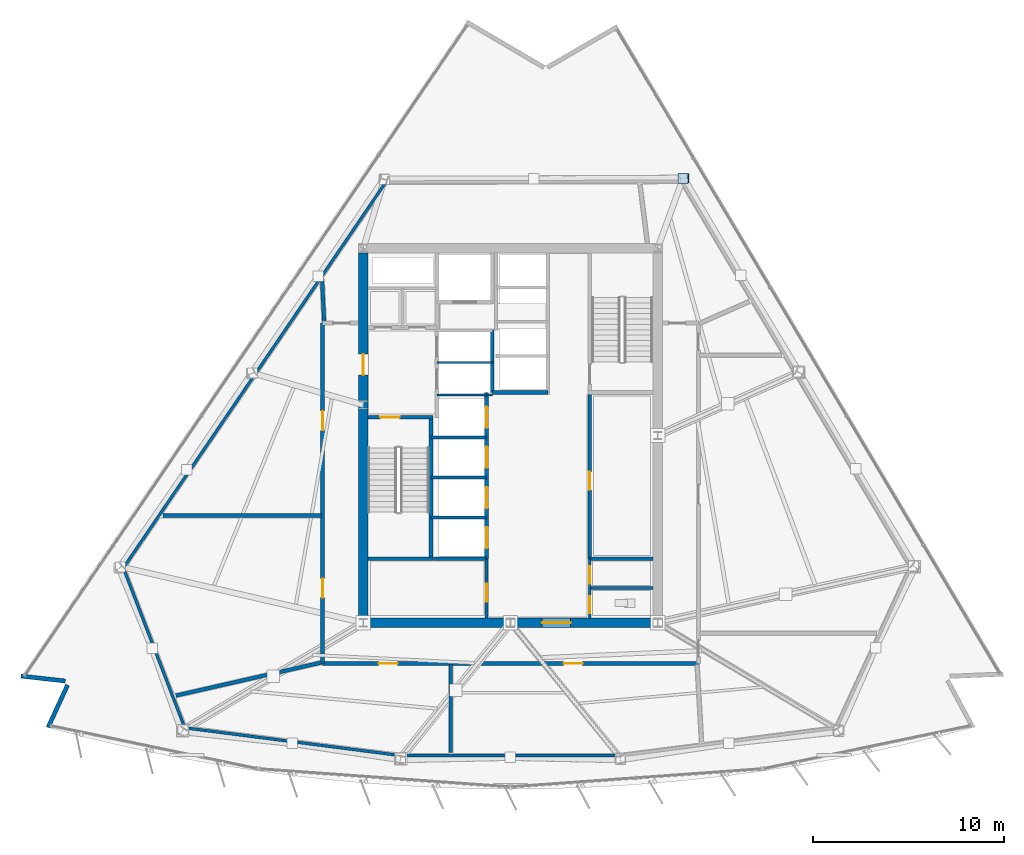
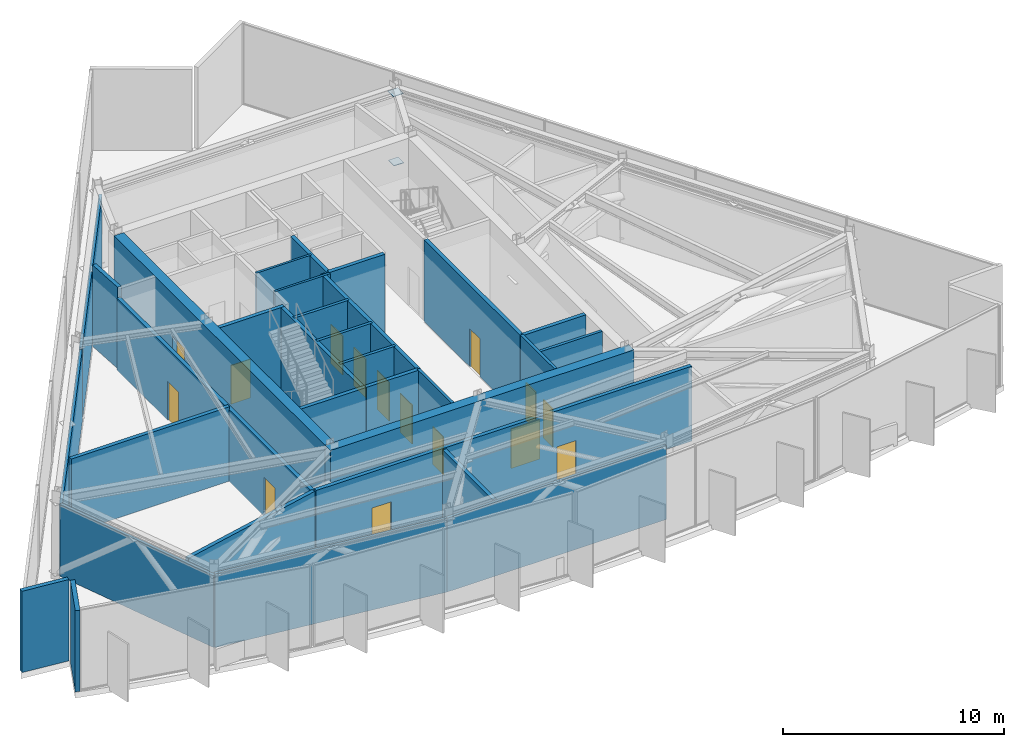
# One storey, part 8 of 14: 32 walls, 15 doors, 2 plates, 15 openings.
"""IFC4 building model written with IfcOpenShell, lengths in metres."""

from ifc_helpers import new_model, si_unit, direction, frame, frame_2d, origin, origin_2d, place, context, subcontext, project, spatial, rectangle, extrude, material, layer, layer_set, type_object, element, fill, save


model = new_model("IFC4")

# Units and contexts
model_context = context("Model", 3, precision=1e-05, world=origin(), true_north=direction((0.0, 1.0)))
body_context = subcontext(model_context, "Body", "Model", "MODEL_VIEW")
ifc_project = project(units=[si_unit("LENGTHUNIT", "METRE"), si_unit("AREAUNIT", "SQUARE_METRE"), si_unit("VOLUMEUNIT", "CUBIC_METRE"), si_unit("PLANEANGLEUNIT", "RADIAN"), si_unit("MASSUNIT", "GRAM", prefix="KILO")], contexts=[model_context])

# Site, building, storey
site_placement = place(None, origin())
site = spatial("IfcSite", under=ifc_project, at=site_placement, CompositionType="ELEMENT")
building_placement = place(site_placement, origin())
building = spatial("IfcBuilding", under=site, at=building_placement, Name="Savorim Split Tower", CompositionType="ELEMENT")
storey_placement = place(building_placement, frame((0.0, 0.0, 185.39990234375)))
storey = spatial("IfcBuildingStorey", under=building, at=storey_placement, Name="L49", CompositionType="ELEMENT", Elevation=185.39990234375)

# Plates
ifc_material_1 = material(Name="Steel S460", Category="steel")
ifc_layer_1 = layer(ifc_material_1, 0.028076171875)
ifc_layer_set_1 = layer_set([ifc_layer_1], Name="PLT-NODE-BN1")
plate_type = type_object("IfcPlateType", Name="PLT-NODE-BN1", PredefinedType="SHEET", material=ifc_layer_set_1)
for number, where, z_axis, x_axis, name in (
    (1, (9.065673828125, 13.856201171875, 0.26611328125), (0.0, 0.0, 1.0), (1.0, 0.0, 0.0), "L49 Belt Truss Base Gusset Plate BNB-07"),
    (2, (9.031982421875, 13.848876953125, 4.1162109375), (0.0, 0.0, 1.0), (1.0, 0.0, 0.0), "L49 Belt Truss Chord Gusset Plate BCH-07"),
):
    element("IfcPlate", number, at=place(storey_placement, frame(where, z_axis=z_axis, x_axis=x_axis)), inside=storey, type_object=plate_type, Name=name, PredefinedType="SHEET", context=body_context, shape_type="SweptSolid", body=[
        extrude(rectangle(XDim=0.52001953125, YDim=0.52001953125, at=origin_2d()), origin(), (0.0, 0.0, 1.0), 0.028076171875),
    ])

# Wall, opening, door
ifc_material_2 = material(Name="Concrete C60/75", Category="concrete")
ifc_layer_2 = layer(ifc_material_2, 0.5)
ifc_layer_set_2 = layer_set([ifc_layer_2], Name="WAL-COR-SH500")
wall_type_1 = type_object("IfcWallType", Name="WAL-COR-SH500", PredefinedType="SHEAR", material=ifc_layer_set_2)
wall_1_placement = place(storey_placement, frame((-7.949951171875, -9.39990234375, 0.0), z_axis=(0.0, 0.0, 1.0), x_axis=(1.0, 0.0, 0.0)))
wall_1 = element("IfcWall", 3, at=wall_1_placement, inside=storey, type_object=wall_type_1, Name="L49 Offset Core South Shear Wall", PredefinedType="SHEAR", context=body_context, shape_type="SweptSolid", body=[
    extrude(rectangle(XDim=15.89990234375, YDim=0.5, at=frame_2d((7.949951171875, 0.0))), origin(), (0.0, 0.0, 1.0), 4.5),
])
opening_1_placement = place(wall_1_placement, frame((9.60009765625, 0.0, 0.0)))
opening_1 = element("IfcOpeningElement", 4, at=opening_1_placement, cuts=wall_1, Name="Opening DI-02", PredefinedType="OPENING", context=body_context, shape_type="SweptSolid", body=[
    extrude(rectangle(XDim=1.5, YDim=2.199951171875, at=frame_2d((0.75, 1.10009765625))), frame((0.0, 0.260009765625, 0.0), z_axis=(0.0, -1.0, 0.0), x_axis=(1.0, 0.0, 0.0)), (0.0, 0.0, 1.0), 0.52001953125),
])
ifc_material_3 = material(Name="Timber Fire Door Leaf", Category="wood")
door_type_1 = type_object("IfcDoorType", Name="DOR-DBL-1500", OperationType="NOTDEFINED", PredefinedType="DOOR", material=ifc_material_3)
door_1_placement = place(opening_1_placement, origin())
door_1 = element("IfcDoor", 5, at=door_1_placement, inside=storey, type_object=door_type_1, Name="DOR-L49-COR-LLOB - L49 Lift Lobby Main Rated Door", OperationType="DOUBLE_DOOR_SINGLE_SWING", OverallHeight=2.199951171875, OverallWidth=1.5, PredefinedType="DOOR", context=body_context, shape_type="SweptSolid", body=[
    extrude(rectangle(XDim=1.5, YDim=2.199951171875, at=frame_2d((0.75, 1.10009765625))), frame((0.0, 0.02490234375, 0.0), z_axis=(0.0, -1.0, 0.0), x_axis=(1.0, 0.0, 0.0)), (0.0, 0.0, 1.0), 0.050048828125),
])
fill(opening_1, door_1)

wall_2_placement = place(storey_placement, frame((-7.699951171875, -9.14990234375, 0.0), z_axis=(0.0, 0.0, 1.0), x_axis=(0.0, 1.0, 0.0)))
wall_2 = element("IfcWall", 6, at=wall_2_placement, inside=storey, type_object=wall_type_1, Name="L49 Offset Core West Shear Wall", PredefinedType="SHEAR", context=body_context, shape_type="SweptSolid", body=[
    extrude(rectangle(XDim=19.099853515625, YDim=0.5, at=frame_2d((9.5498046875, 0.0))), origin(), (0.0, 0.0, 1.0), 4.5),
])
opening_2_placement = place(wall_2_placement, frame((12.699951171875, 0.0, 0.0)))
opening_2 = element("IfcOpeningElement", 7, at=opening_2_placement, cuts=wall_2, Name="Opening DI-03", PredefinedType="OPENING", context=body_context, shape_type="SweptSolid", body=[
    extrude(rectangle(XDim=1.10009765625, YDim=2.14990234375, at=frame_2d((0.550048828125, 1.074951171875))), frame((0.0, 0.260009765625, 0.0), z_axis=(0.0, -1.0, 0.0), x_axis=(1.0, 0.0, 0.0)), (0.0, 0.0, 1.0), 0.52001953125),
])
door_type_2 = type_object("IfcDoorType", Name="DOR-FIR-1100", OperationType="NOTDEFINED", PredefinedType="DOOR", material=ifc_material_3)
door_2_placement = place(opening_2_placement, origin())
door_2 = element("IfcDoor", 8, at=door_2_placement, inside=storey, type_object=door_type_2, Name="DOR-L49-COR-FFLOB - L49 Firefighting Lobby Corridor Door", OperationType="SINGLE_SWING_LEFT", OverallHeight=2.14990234375, OverallWidth=1.10009765625, PredefinedType="DOOR", context=body_context, shape_type="SweptSolid", body=[
    extrude(rectangle(XDim=1.10009765625, YDim=2.14990234375, at=frame_2d((0.550048828125, 1.074951171875))), frame((0.0, 0.02490234375, 0.0), z_axis=(0.0, -1.0, 0.0), x_axis=(1.0, 0.0, 0.0)), (0.0, 0.0, 1.0), 0.050048828125),
])
fill(opening_2, door_2)

# Walls
ifc_material_4 = material(Name="Precast concrete C40/50", Category="concrete")
ifc_layer_3 = layer(ifc_material_4, 0.219970703125)
ifc_layer_set_3 = layer_set([ifc_layer_3], Name="WAL-EXT-CRN220")
wall_type_2 = type_object("IfcWallType", Name="WAL-EXT-CRN220", PredefinedType="SOLIDWALL", material=ifc_layer_set_3)
wall_3_placement = place(storey_placement, frame((-23.2890625, -12.445556640625, 0.0), z_axis=(0.0, 0.0, 1.0), x_axis=(-0.993829972675, 0.110914315635, 0.0)))
element("IfcWall", 9, at=wall_3_placement, inside=storey, type_object=wall_type_2, Name="L49 Notched Corner Facade Wall SW1", PredefinedType="SOLIDWALL", context=body_context, shape_type="SweptSolid", body=[
    extrude(rectangle(XDim=2.3310546875, YDim=0.219970703125, at=frame_2d((1.16552734375, 0.0))), origin(), (0.0, 0.0, 1.0), 4.5),
])
wall_4_placement = place(storey_placement, frame((-24.184814453125, -14.86328125, 0.0), z_axis=(0.0, 0.0, 1.0), x_axis=(0.417509141111, 0.90867272276, 0.0)))
element("IfcWall", 10, at=wall_4_placement, inside=storey, type_object=wall_type_2, Name="L49 Notched Corner Facade Wall SW", PredefinedType="SOLIDWALL", context=body_context, shape_type="SweptSolid", body=[
    extrude(rectangle(XDim=2.4296875, YDim=0.219970703125, at=frame_2d((1.21484375, 0.0))), origin(), (0.0, 0.0, 1.0), 4.5),
])

# Wall, opening, door
ifc_material_5 = material(Name="Concrete C50/60", Category="concrete")
ifc_layer_4 = layer(ifc_material_5, 0.199951171875)
ifc_layer_set_4 = layer_set([ifc_layer_4], Name="WAL-INT-RC200")
wall_type_3 = type_object("IfcWallType", Name="WAL-INT-RC200", PredefinedType="SOLIDWALL", material=ifc_layer_set_4)
wall_5_placement = place(storey_placement, frame((-7.449951171875, 1.35009765625, 0.0), z_axis=(0.0, 0.0, 1.0), x_axis=(1.0, 0.0, 0.0)))
wall_5 = element("IfcWall", 11, at=wall_5_placement, inside=storey, type_object=wall_type_3, Name="L49 Structural Shaft Wall W-L49-CR01", PredefinedType="SOLIDWALL", context=body_context, shape_type="SweptSolid", body=[
    extrude(rectangle(XDim=3.39990234375, YDim=0.199951171875, at=frame_2d((1.699951171875, 0.0))), origin(), (0.0, 0.0, 1.0), 4.5),
])
opening_3_placement = place(wall_5_placement, frame((0.64990234375, 0.0, 0.0)))
opening_3 = element("IfcOpeningElement", 12, at=opening_3_placement, cuts=wall_5, Name="Opening DI-04", PredefinedType="OPENING", context=body_context, shape_type="SweptSolid", body=[
    extrude(rectangle(XDim=1.0, YDim=2.14990234375, at=frame_2d((0.5, 1.074951171875))), frame((0.0, 0.10986328125, 0.0), z_axis=(0.0, -1.0, 0.0), x_axis=(1.0, 0.0, 0.0)), (0.0, 0.0, 1.0), 0.219970703125),
])
door_type_3 = type_object("IfcDoorType", Name="DOR-FIR-1000", OperationType="NOTDEFINED", PredefinedType="DOOR", material=ifc_material_3)
door_3_placement = place(opening_3_placement, origin())
door_3 = element("IfcDoor", 13, at=door_3_placement, inside=storey, type_object=door_type_3, Name="DR-L49-ST1 - L49 Stair ST-1 Enclosure Door", OperationType="SINGLE_SWING_LEFT", OverallHeight=2.14990234375, OverallWidth=1.0, PredefinedType="DOOR", context=body_context, shape_type="SweptSolid", body=[
    extrude(rectangle(XDim=1.0, YDim=2.14990234375, at=frame_2d((0.5, 1.074951171875))), frame((0.0, 0.02490234375, 0.0), z_axis=(0.0, -1.0, 0.0), x_axis=(1.0, 0.0, 0.0)), (0.0, 0.0, 1.0), 0.050048828125),
])
fill(opening_3, door_3)

# Walls
wall_6_placement = place(storey_placement, frame((-4.14990234375, -5.949951171875, 0.0), z_axis=(0.0, 0.0, 1.0), x_axis=(0.0, 1.0, 0.0)))
element("IfcWall", 14, at=wall_6_placement, inside=storey, type_object=wall_type_3, Name="L49 Structural Shaft Wall W-L49-CR02", PredefinedType="SOLIDWALL", context=body_context, shape_type="SweptSolid", body=[
    extrude(rectangle(XDim=7.199951171875, YDim=0.199951171875, at=frame_2d((3.60009765625, 0.0))), origin(), (0.0, 0.0, 1.0), 4.5),
])
wall_7_placement = place(storey_placement, frame((-0.949951171875, 2.64990234375, 0.0), z_axis=(0.0, 0.0, 1.0), x_axis=(0.0, 1.0, 0.0)))
element("IfcWall", 15, at=wall_7_placement, inside=storey, type_object=wall_type_3, Name="L49 Partition W-L49-FFLW", PredefinedType="SOLIDWALL", context=body_context, shape_type="SweptSolid", body=[
    extrude(rectangle(XDim=3.27001953125, YDim=0.199951171875, at=frame_2d((1.635009765625, 0.0))), origin(), (0.0, 0.0, 1.0), 4.5),
])

# Wall, opening, door
wall_8_placement = place(storey_placement, frame((4.14990234375, -6.050048828125, 0.0), z_axis=(0.0, 0.0, 1.0), x_axis=(0.0, 1.0, 0.0)))
wall_8 = element("IfcWall", 16, at=wall_8_placement, inside=storey, type_object=wall_type_3, Name="L49 Partition W-L49-B1FRONT", PredefinedType="SOLIDWALL", context=body_context, shape_type="SweptSolid", body=[
    extrude(rectangle(XDim=8.699951171875, YDim=0.199951171875, at=frame_2d((4.35009765625, 0.0))), origin(), (0.0, 0.0, 1.0), 4.5),
])
opening_4_placement = place(wall_8_placement, frame((3.60009765625, 0.0, 0.0)))
opening_4 = element("IfcOpeningElement", 17, at=opening_4_placement, cuts=wall_8, Name="Opening DI-05", PredefinedType="OPENING", context=body_context, shape_type="SweptSolid", body=[
    extrude(rectangle(XDim=0.949951171875, YDim=2.10009765625, at=frame_2d((0.47509765625, 1.050048828125))), frame((0.0, 0.10986328125, 0.0), z_axis=(0.0, -1.0, 0.0), x_axis=(1.0, 0.0, 0.0)), (0.0, 0.0, 1.0), 0.219970703125),
])
door_type_4 = type_object("IfcDoorType", Name="DOR-FIR-950", OperationType="NOTDEFINED", PredefinedType="DOOR", material=ifc_material_3)
door_4_placement = place(opening_4_placement, origin())
door_4 = element("IfcDoor", 18, at=door_4_placement, inside=storey, type_object=door_type_4, Name="DR-L49-LV7B1 - L49 Booster Transfer Plant Room Door", OperationType="SINGLE_SWING_RIGHT", OverallHeight=2.10009765625, OverallWidth=0.949951171875, PredefinedType="DOOR", context=body_context, shape_type="SweptSolid", body=[
    extrude(rectangle(XDim=0.949951171875, YDim=2.10009765625, at=frame_2d((0.47509765625, 1.050048828125))), frame((0.0, 0.02490234375, 0.0), z_axis=(0.0, -1.0, 0.0), x_axis=(1.0, 0.0, 0.0)), (0.0, 0.0, 1.0), 0.050048828125),
])
fill(opening_4, door_4)

# Wall, openings, doors
wall_9_placement = place(storey_placement, frame((-1.25, -6.050048828125, 0.0), z_axis=(0.0, 0.0, 1.0), x_axis=(0.0, 1.0, 0.0)))
wall_9 = element("IfcWall", 19, at=wall_9_placement, inside=storey, type_object=wall_type_3, Name="L49 Partition W-L49-B2FRONT", PredefinedType="SOLIDWALL", context=body_context, shape_type="SweptSolid", body=[
    extrude(rectangle(XDim=8.699951171875, YDim=0.199951171875, at=frame_2d((4.35009765625, 0.0))), origin(), (0.0, 0.0, 1.0), 4.5),
])
opening_5_placement = place(wall_9_placement, frame((0.550048828125, 0.0, 0.0)))
opening_5 = element("IfcOpeningElement", 20, at=opening_5_placement, cuts=wall_9, Name="Opening LD-02", PredefinedType="OPENING", context=body_context, shape_type="SweptSolid", body=[
    extrude(rectangle(XDim=1.10009765625, YDim=2.14990234375, at=frame_2d((0.550048828125, 1.074951171875))), frame((0.0, 0.10986328125, 0.0), z_axis=(0.0, -1.0, 0.0), x_axis=(1.0, 0.0, 0.0)), (0.0, 0.0, 1.0), 0.219970703125),
])
opening_6_placement = place(wall_9_placement, frame((2.64990234375, 0.0, 0.0)))
opening_6 = element("IfcOpeningElement", 21, at=opening_6_placement, cuts=wall_9, Name="Opening LD-02", PredefinedType="OPENING", context=body_context, shape_type="SweptSolid", body=[
    extrude(rectangle(XDim=1.10009765625, YDim=2.14990234375, at=frame_2d((0.550048828125, 1.074951171875))), frame((0.0, 0.10986328125, 0.0), z_axis=(0.0, -1.0, 0.0), x_axis=(1.0, 0.0, 0.0)), (0.0, 0.0, 1.0), 0.219970703125),
])
opening_7_placement = place(wall_9_placement, frame((4.75, 0.0, 0.0)))
opening_7 = element("IfcOpeningElement", 22, at=opening_7_placement, cuts=wall_9, Name="Opening LD-02", PredefinedType="OPENING", context=body_context, shape_type="SweptSolid", body=[
    extrude(rectangle(XDim=1.10009765625, YDim=2.14990234375, at=frame_2d((0.550048828125, 1.074951171875))), frame((0.0, 0.10986328125, 0.0), z_axis=(0.0, -1.0, 0.0), x_axis=(1.0, 0.0, 0.0)), (0.0, 0.0, 1.0), 0.219970703125),
])
opening_8_placement = place(wall_9_placement, frame((6.85009765625, 0.0, 0.0)))
opening_8 = element("IfcOpeningElement", 23, at=opening_8_placement, cuts=wall_9, Name="Opening LD-02", PredefinedType="OPENING", context=body_context, shape_type="SweptSolid", body=[
    extrude(rectangle(XDim=1.10009765625, YDim=2.14990234375, at=frame_2d((0.550048828125, 1.074951171875))), frame((0.0, 0.10986328125, 0.0), z_axis=(0.0, -1.0, 0.0), x_axis=(1.0, 0.0, 0.0)), (0.0, 0.0, 1.0), 0.219970703125),
])
ifc_material_6 = material(Name="Charcoal Anodised Aluminium", Category="aluminium")
door_type_5 = type_object("IfcDoorType", Name="DOR-SLD-LDM1100", OperationType="NOTDEFINED", PredefinedType="DOOR", material=ifc_material_6)
door_5_placement = place(opening_5_placement, origin())
door_5 = element("IfcDoor", 24, at=door_5_placement, inside=storey, type_object=door_type_5, Name="DR-L49-LD-PLM1 - L49 Lift PL-M1 Sliding Landing Door", OperationType="DOUBLE_DOOR_SLIDING", OverallHeight=2.14990234375, OverallWidth=1.10009765625, PredefinedType="DOOR", context=body_context, shape_type="SweptSolid", body=[
    extrude(rectangle(XDim=1.10009765625, YDim=2.14990234375, at=frame_2d((0.550048828125, 1.074951171875))), frame((0.0, 0.02490234375, 0.0), z_axis=(0.0, -1.0, 0.0), x_axis=(1.0, 0.0, 0.0)), (0.0, 0.0, 1.0), 0.050048828125),
])
fill(opening_5, door_5)
door_6_placement = place(opening_6_placement, origin())
door_6 = element("IfcDoor", 25, at=door_6_placement, inside=storey, type_object=door_type_5, Name="DR-L49-LD-PLM2 - L49 Lift PL-M2 Sliding Landing Door", OperationType="DOUBLE_DOOR_SLIDING", OverallHeight=2.14990234375, OverallWidth=1.10009765625, PredefinedType="DOOR", context=body_context, shape_type="SweptSolid", body=[
    extrude(rectangle(XDim=1.10009765625, YDim=2.14990234375, at=frame_2d((0.550048828125, 1.074951171875))), frame((0.0, 0.02490234375, 0.0), z_axis=(0.0, -1.0, 0.0), x_axis=(1.0, 0.0, 0.0)), (0.0, 0.0, 1.0), 0.050048828125),
])
fill(opening_6, door_6)
door_7_placement = place(opening_7_placement, origin())
door_7 = element("IfcDoor", 26, at=door_7_placement, inside=storey, type_object=door_type_5, Name="DR-L49-LD-PLM3 - L49 Lift PL-M3 Sliding Landing Door", OperationType="DOUBLE_DOOR_SLIDING", OverallHeight=2.14990234375, OverallWidth=1.10009765625, PredefinedType="DOOR", context=body_context, shape_type="SweptSolid", body=[
    extrude(rectangle(XDim=1.10009765625, YDim=2.14990234375, at=frame_2d((0.550048828125, 1.074951171875))), frame((0.0, 0.02490234375, 0.0), z_axis=(0.0, -1.0, 0.0), x_axis=(1.0, 0.0, 0.0)), (0.0, 0.0, 1.0), 0.050048828125),
])
fill(opening_7, door_7)
door_8_placement = place(opening_8_placement, origin())
door_8 = element("IfcDoor", 27, at=door_8_placement, inside=storey, type_object=door_type_5, Name="DR-L49-LD-PLM4 - L49 Lift PL-M4 Sliding Landing Door", OperationType="DOUBLE_DOOR_SLIDING", OverallHeight=2.14990234375, OverallWidth=1.10009765625, PredefinedType="DOOR", context=body_context, shape_type="SweptSolid", body=[
    extrude(rectangle(XDim=1.10009765625, YDim=2.14990234375, at=frame_2d((0.550048828125, 1.074951171875))), frame((0.0, 0.02490234375, 0.0), z_axis=(0.0, -1.0, 0.0), x_axis=(1.0, 0.0, 0.0)), (0.0, 0.0, 1.0), 0.050048828125),
])
fill(opening_8, door_8)

# Walls
wall_10_placement = place(storey_placement, frame((-0.949951171875, 2.64990234375, 0.0), z_axis=(0.0, 0.0, 1.0), x_axis=(1.0, 0.0, 0.0)))
element("IfcWall", 28, at=wall_10_placement, inside=storey, type_object=wall_type_3, Name="L49 Partition W-L49-B3SOUTH", PredefinedType="SOLIDWALL", context=body_context, shape_type="SweptSolid", body=[
    extrude(rectangle(XDim=2.89990234375, YDim=0.199951171875, at=frame_2d((1.449951171875, 0.0))), origin(), (0.0, 0.0, 1.0), 4.5),
])
wall_11_placement = place(storey_placement, frame((-7.449951171875, -6.050048828125, 0.0), z_axis=(0.0, 0.0, 1.0), x_axis=(1.0, 0.0, 0.0)))
element("IfcWall", 29, at=wall_11_placement, inside=storey, type_object=wall_type_3, Name="L49 Structural Shaft Wall W-L49-KSEP-W", PredefinedType="SOLIDWALL", context=body_context, shape_type="SweptSolid", body=[
    extrude(rectangle(XDim=3.39990234375, YDim=0.199951171875, at=frame_2d((1.699951171875, 0.0))), origin(), (0.0, 0.0, 1.0), 4.5),
])
wall_12_placement = place(storey_placement, frame((-4.0400390625, -6.050048828125, 0.0), z_axis=(0.0, 0.0, 1.0), x_axis=(1.0, 0.0, 0.0)))
element("IfcWall", 30, at=wall_12_placement, inside=storey, type_object=wall_type_3, Name="L49 Partition W-L49-KSEP-W2", PredefinedType="SOLIDWALL", context=body_context, shape_type="SweptSolid", body=[
    extrude(rectangle(XDim=2.7900390625, YDim=0.199951171875, at=frame_2d((1.39501953125, 0.0))), origin(), (0.0, 0.0, 1.0), 4.5),
])
wall_13_placement = place(storey_placement, frame((4.14990234375, -6.050048828125, 0.0), z_axis=(0.0, 0.0, 1.0), x_axis=(1.0, 0.0, 0.0)))
element("IfcWall", 31, at=wall_13_placement, inside=storey, type_object=wall_type_3, Name="L49 Partition W-L49-KSEP-E", PredefinedType="SOLIDWALL", context=body_context, shape_type="SweptSolid", body=[
    extrude(rectangle(XDim=3.295166015625, YDim=0.199951171875, at=frame_2d((1.6474609375, 0.0))), origin(), (0.0, 0.0, 1.0), 4.5),
])

# Wall, openings, doors
wall_14_placement = place(storey_placement, frame((-9.830078125, -11.530029296875, 0.0), z_axis=(0.0, 0.0, 1.0), x_axis=(0.0, 1.0, 0.0)))
wall_14 = element("IfcWall", 32, at=wall_14_placement, inside=storey, type_object=wall_type_3, Name="L49 Partition W-L49-COR-W1", PredefinedType="SOLIDWALL", context=body_context, shape_type="SweptSolid", body=[
    extrude(rectangle(XDim=17.81005859375, YDim=0.199951171875, at=frame_2d((8.905029296875, 0.0))), origin(), (0.0, 0.0, 1.0), 3.97509765625),
])
opening_9_placement = place(wall_14_placement, frame((12.19677734375, 0.0, 0.0)))
opening_9 = element("IfcOpeningElement", 33, at=opening_9_placement, cuts=wall_14, Name="Opening DI-04", PredefinedType="OPENING", context=body_context, shape_type="SweptSolid", body=[
    extrude(rectangle(XDim=1.0, YDim=2.14990234375, at=frame_2d((0.5, 1.074951171875))), frame((0.0, 0.10986328125, 0.0), z_axis=(0.0, -1.0, 0.0), x_axis=(1.0, 0.0, 0.0)), (0.0, 0.0, 1.0), 0.219970703125),
])
opening_10_placement = place(wall_14_placement, frame((3.445068359375, 0.0, 0.0)))
opening_10 = element("IfcOpeningElement", 34, at=opening_10_placement, cuts=wall_14, Name="Opening DI-04", PredefinedType="OPENING", context=body_context, shape_type="SweptSolid", body=[
    extrude(rectangle(XDim=1.0, YDim=2.14990234375, at=frame_2d((0.5, 1.074951171875))), frame((0.0, 0.10986328125, 0.0), z_axis=(0.0, -1.0, 0.0), x_axis=(1.0, 0.0, 0.0)), (0.0, 0.0, 1.0), 0.219970703125),
])
door_9_placement = place(opening_9_placement, origin())
door_9 = element("IfcDoor", 35, at=door_9_placement, inside=storey, type_object=door_type_3, Name="DR-L49-RM01 - L49 AHU Mechanical Plant Room 1 Entry Door", OperationType="SINGLE_SWING_RIGHT", OverallHeight=2.14990234375, OverallWidth=1.0, PredefinedType="DOOR", context=body_context, shape_type="SweptSolid", body=[
    extrude(rectangle(XDim=1.0, YDim=2.14990234375, at=frame_2d((0.5, 1.074951171875))), frame((0.0, 0.02490234375, 0.0), z_axis=(0.0, -1.0, 0.0), x_axis=(1.0, 0.0, 0.0)), (0.0, 0.0, 1.0), 0.050048828125),
])
fill(opening_9, door_9)
door_10_placement = place(opening_10_placement, origin())
door_10 = element("IfcDoor", 36, at=door_10_placement, inside=storey, type_object=door_type_3, Name="DR-L49-RM02 - L49 Refuge Area West Entry Door", OperationType="SINGLE_SWING_LEFT", OverallHeight=2.14990234375, OverallWidth=1.0, PredefinedType="DOOR", context=body_context, shape_type="SweptSolid", body=[
    extrude(rectangle(XDim=1.0, YDim=2.14990234375, at=frame_2d((0.5, 1.074951171875))), frame((0.0, 0.02490234375, 0.0), z_axis=(0.0, -1.0, 0.0), x_axis=(1.0, 0.0, 0.0)), (0.0, 0.0, 1.0), 0.050048828125),
])
fill(opening_10, door_10)

wall_15_placement = place(storey_placement, frame((-9.830078125, -11.530029296875, 0.0), z_axis=(0.0, 0.0, 1.0), x_axis=(1.0, 0.0, 0.0)))
wall_15 = element("IfcWall", 37, at=wall_15_placement, inside=storey, type_object=wall_type_3, Name="L49 Partition W-L49-COR-S1", PredefinedType="SOLIDWALL", context=body_context, shape_type="SweptSolid", body=[
    extrude(rectangle(XDim=19.66015625, YDim=0.199951171875, at=frame_2d((9.830078125, 0.0))), origin(), (0.0, 0.0, 1.0), 4.14501953125),
])
opening_11_placement = place(wall_15_placement, frame((2.927978515625, 0.0, 0.0)))
opening_11 = element("IfcOpeningElement", 38, at=opening_11_placement, cuts=wall_15, Name="Opening DI-04", PredefinedType="OPENING", context=body_context, shape_type="SweptSolid", body=[
    extrude(rectangle(XDim=1.0, YDim=2.14990234375, at=frame_2d((0.5, 1.074951171875))), frame((0.0, 0.10986328125, 0.0), z_axis=(0.0, -1.0, 0.0), x_axis=(1.0, 0.0, 0.0)), (0.0, 0.0, 1.0), 0.219970703125),
])
opening_12_placement = place(wall_15_placement, frame((12.6044921875, 0.0, 0.0)))
opening_12 = element("IfcOpeningElement", 39, at=opening_12_placement, cuts=wall_15, Name="Opening DI-04", PredefinedType="OPENING", context=body_context, shape_type="SweptSolid", body=[
    extrude(rectangle(XDim=1.0, YDim=2.14990234375, at=frame_2d((0.5, 1.074951171875))), frame((0.0, 0.10986328125, 0.0), z_axis=(0.0, -1.0, 0.0), x_axis=(1.0, 0.0, 0.0)), (0.0, 0.0, 1.0), 0.219970703125),
])
door_11_placement = place(opening_11_placement, origin())
door_11 = element("IfcDoor", 40, at=door_11_placement, inside=storey, type_object=door_type_3, Name="DR-L49-RM03 - L49 Chiller Plant Room 1 Entry Door", OperationType="SINGLE_SWING_RIGHT", OverallHeight=2.14990234375, OverallWidth=1.0, PredefinedType="DOOR", context=body_context, shape_type="SweptSolid", body=[
    extrude(rectangle(XDim=1.0, YDim=2.14990234375, at=frame_2d((0.5, 1.074951171875))), frame((0.0, 0.02490234375, 0.0), z_axis=(0.0, -1.0, 0.0), x_axis=(1.0, 0.0, 0.0)), (0.0, 0.0, 1.0), 0.050048828125),
])
fill(opening_11, door_11)
door_12_placement = place(opening_12_placement, origin())
door_12 = element("IfcDoor", 41, at=door_12_placement, inside=storey, type_object=door_type_3, Name="DR-L49-RM04 - L49 Refuge Area North-West Entry Door", OperationType="SINGLE_SWING_LEFT", OverallHeight=2.14990234375, OverallWidth=1.0, PredefinedType="DOOR", context=body_context, shape_type="SweptSolid", body=[
    extrude(rectangle(XDim=1.0, YDim=2.14990234375, at=frame_2d((0.5, 1.074951171875))), frame((0.0, 0.02490234375, 0.0), z_axis=(0.0, -1.0, 0.0), x_axis=(1.0, 0.0, 0.0)), (0.0, 0.0, 1.0), 0.050048828125),
])
fill(opening_12, door_12)

# Walls
wall_16_placement = place(storey_placement, frame((-9.889892578125, -3.79296875, 0.0), z_axis=(0.0, 0.0, 1.0), x_axis=(-1.0, 0.0, 0.0)))
element("IfcWall", 42, at=wall_16_placement, inside=storey, type_object=wall_type_3, Name="L49 Partition W-L49-PLW01", PredefinedType="SOLIDWALL", context=body_context, shape_type="SweptSolid", body=[
    extrude(rectangle(XDim=8.294921875, YDim=0.199951171875, at=frame_2d((4.1474609375, 0.0))), origin(), (0.0, 0.0, 1.0), 4.114990234375),
])
wall_17_placement = place(storey_placement, frame((-9.88720703125, -11.477294921875, 0.0), z_axis=(0.0, 0.0, 1.0), x_axis=(-0.975104291442, -0.22174674927, 0.0)))
element("IfcWall", 43, at=wall_17_placement, inside=storey, type_object=wall_type_3, Name="L49 Partition W-L49-PLW02", PredefinedType="SOLIDWALL", context=body_context, shape_type="SweptSolid", body=[
    extrude(rectangle(XDim=7.810302734375, YDim=0.199951171875, at=frame_2d((3.9052734375, 0.0))), origin(), (0.0, 0.0, 1.0), 4.085205078125),
])
wall_18_placement = place(storey_placement, frame((-3.12744140625, -11.590087890625, 0.0), z_axis=(0.0, 0.0, 1.0), x_axis=(0.0, -1.0, 0.0)))
element("IfcWall", 44, at=wall_18_placement, inside=storey, type_object=wall_type_3, Name="L49 Partition W-L49-PLW05", PredefinedType="SOLIDWALL", context=body_context, shape_type="SweptSolid", body=[
    extrude(rectangle(XDim=4.5849609375, YDim=0.199951171875, at=frame_2d((2.29248046875, 0.0))), origin(), (0.0, 0.0, 1.0), 4.085205078125),
])
wall_19_placement = place(storey_placement, frame((-9.75, 6.33984375, 0.0), z_axis=(0.0, 0.0, 1.0), x_axis=(-0.04742841437, 0.998874639537, 0.0)))
element("IfcWall", 45, at=wall_19_placement, inside=storey, type_object=wall_type_3, Name="L49 Partition W-L49-PLW15", PredefinedType="SOLIDWALL", context=body_context, shape_type="SweptSolid", body=[
    extrude(rectangle(XDim=2.120849609375, YDim=0.199951171875, at=frame_2d((1.060546875, 0.0))), origin(), (0.0, 0.0, 1.0), 4.5),
])
ifc_material_7 = material(Name="Acoustic Gypsum Partition Board")
ifc_layer_5 = layer(ifc_material_7, 0.1201171875)
ifc_layer_set_5 = layer_set([ifc_layer_5], Name="WAL-PAR-120")
wall_type_4 = type_object("IfcWallType", Name="WAL-PAR-120", PredefinedType="PARTITIONING", material=ifc_layer_set_5)
for number, where, z_axis, x_axis, name in (
    (46, (-3.85009765625, 2.52001953125, 0.0), (0.0, 0.0, 1.0), (1.0, 0.0, 0.0), "L49 Partition W-L49-FFLD0"),
    (47, (-3.85009765625, 4.219970703125, 0.0), (0.0, 0.0, 1.0), (1.0, 0.0, 0.0), "L49 Partition W-L49-FFLD1"),
):
    element("IfcWall", number, at=place(storey_placement, frame(where, z_axis=z_axis, x_axis=x_axis)), inside=storey, type_object=wall_type_4, Name=name, PredefinedType="PARTITIONING", context=body_context, shape_type="SweptSolid", body=[
        extrude(rectangle(XDim=2.900146484375, YDim=0.1201171875, at=frame_2d((1.4501953125, 0.0))), origin(), (0.0, 0.0, 1.0), 4.5),
    ])
ifc_layer_6 = layer(ifc_material_7, 0.14990234375)
ifc_layer_set_6 = layer_set([ifc_layer_6], Name="WAL-PAR-150")
wall_type_5 = type_object("IfcWallType", Name="WAL-PAR-150", PredefinedType="PARTITIONING", material=ifc_layer_set_6)
for number, where, z_axis, x_axis, name in (
    (48, (-4.14990234375, -3.89990234375, 0.0), (0.0, 0.0, 1.0), (1.0, 0.0, 0.0), "L49 Partition W-L49-B2DIV1"),
    (49, (-4.14990234375, -1.800048828125, 0.0), (0.0, 0.0, 1.0), (1.0, 0.0, 0.0), "L49 Partition W-L49-B2DIV2"),
    (50, (-4.14990234375, 0.300048828125, 0.0), (0.0, 0.0, 1.0), (1.0, 0.0, 0.0), "L49 Partition W-L49-B2DIV3"),
):
    element("IfcWall", number, at=place(storey_placement, frame(where, z_axis=z_axis, x_axis=x_axis)), inside=storey, type_object=wall_type_5, Name=name, PredefinedType="PARTITIONING", context=body_context, shape_type="SweptSolid", body=[
        extrude(rectangle(XDim=2.89990234375, YDim=0.14990234375, at=frame_2d((1.449951171875, 0.0))), origin(), (0.0, 0.0, 1.0), 4.5),
    ])

# Wall, opening, door
wall_20_placement = place(storey_placement, frame((-1.25, -9.14501953125, 0.0), z_axis=(0.0, 0.0, 1.0), x_axis=(0.0, 1.0, 0.0)))
wall_20 = element("IfcWall", 51, at=wall_20_placement, inside=storey, type_object=wall_type_5, Name="L49 Partition W-L49-KLOB-W", PredefinedType="PARTITIONING", context=body_context, shape_type="SweptSolid", body=[
    extrude(rectangle(XDim=3.094970703125, YDim=0.14990234375, at=frame_2d((1.54736328125, 0.0))), origin(), (0.0, 0.0, 1.0), 4.5),
])
opening_13_placement = place(wall_20_placement, frame((0.844970703125, 0.0, 0.0)))
opening_13 = element("IfcOpeningElement", 52, at=opening_13_placement, cuts=wall_20, Name="Opening DI-05", PredefinedType="OPENING", context=body_context, shape_type="SweptSolid", body=[
    extrude(rectangle(XDim=0.949951171875, YDim=2.10009765625, at=frame_2d((0.47509765625, 1.050048828125))), frame((0.0, 0.0849609375, 0.0), z_axis=(0.0, -1.0, 0.0), x_axis=(1.0, 0.0, 0.0)), (0.0, 0.0, 1.0), 0.169921875),
])
door_13_placement = place(opening_13_placement, origin())
door_13 = element("IfcDoor", 53, at=door_13_placement, inside=storey, type_object=door_type_4, Name="DR-L49-K3LIN - L49 Housekeeping Store Door", OperationType="SINGLE_SWING_LEFT", OverallHeight=2.10009765625, OverallWidth=0.949951171875, PredefinedType="DOOR", context=body_context, shape_type="SweptSolid", body=[
    extrude(rectangle(XDim=0.949951171875, YDim=2.10009765625, at=frame_2d((0.47509765625, 1.050048828125))), frame((0.0, 0.02490234375, 0.0), z_axis=(0.0, -1.0, 0.0), x_axis=(1.0, 0.0, 0.0)), (0.0, 0.0, 1.0), 0.050048828125),
])
fill(opening_13, door_13)

# Wall, openings, doors
wall_21_placement = place(storey_placement, frame((4.14990234375, -9.14501953125, 0.0), z_axis=(0.0, 0.0, 1.0), x_axis=(0.0, 1.0, 0.0)))
wall_21 = element("IfcWall", 54, at=wall_21_placement, inside=storey, type_object=wall_type_5, Name="L49 Partition W-L49-KLOB-E", PredefinedType="PARTITIONING", context=body_context, shape_type="SweptSolid", body=[
    extrude(rectangle(XDim=3.094970703125, YDim=0.14990234375, at=frame_2d((1.54736328125, 0.0))), origin(), (0.0, 0.0, 1.0), 4.5),
])
opening_14_placement = place(wall_21_placement, frame((0.2451171875, 0.0, 0.0)))
opening_14 = element("IfcOpeningElement", 55, at=opening_14_placement, cuts=wall_21, Name="Opening DI-11", PredefinedType="OPENING", context=body_context, shape_type="SweptSolid", body=[
    extrude(rectangle(XDim=0.89990234375, YDim=2.10009765625, at=frame_2d((0.449951171875, 1.050048828125))), frame((0.0, 0.0849609375, 0.0), z_axis=(0.0, -1.0, 0.0), x_axis=(1.0, 0.0, 0.0)), (0.0, 0.0, 1.0), 0.169921875),
])
opening_15_placement = place(wall_21_placement, frame((1.794921875, 0.0, 0.0)))
opening_15 = element("IfcOpeningElement", 56, at=opening_15_placement, cuts=wall_21, Name="Opening DI-06", PredefinedType="OPENING", context=body_context, shape_type="SweptSolid", body=[
    extrude(rectangle(XDim=0.89990234375, YDim=2.10009765625, at=frame_2d((0.449951171875, 1.050048828125))), frame((0.0, 0.0849609375, 0.0), z_axis=(0.0, -1.0, 0.0), x_axis=(1.0, 0.0, 0.0)), (0.0, 0.0, 1.0), 0.169921875),
])
door_type_6 = type_object("IfcDoorType", Name="DOR-FIR-900", OperationType="NOTDEFINED", PredefinedType="DOOR", material=ifc_material_3)
door_14_placement = place(opening_15_placement, origin())
door_14 = element("IfcDoor", 57, at=door_14_placement, inside=storey, type_object=door_type_6, Name="DR-L49-K3LCK - L49 Cleaning Store Door", OperationType="SINGLE_SWING_LEFT", OverallHeight=2.10009765625, OverallWidth=0.89990234375, PredefinedType="DOOR", context=body_context, shape_type="SweptSolid", body=[
    extrude(rectangle(XDim=0.89990234375, YDim=2.10009765625, at=frame_2d((0.449951171875, 1.050048828125))), frame((0.0, 0.02490234375, 0.0), z_axis=(0.0, -1.0, 0.0), x_axis=(1.0, 0.0, 0.0)), (0.0, 0.0, 1.0), 0.050048828125),
])
fill(opening_15, door_14)
ifc_material_8 = material(Name="Oak Veneer Acoustic Door")
door_type_7 = type_object("IfcDoorType", Name="DOR-WC-900", OperationType="NOTDEFINED", PredefinedType="DOOR", material=ifc_material_8)
door_15_placement = place(opening_14_placement, origin())
door_15 = element("IfcDoor", 58, at=door_15_placement, inside=storey, type_object=door_type_7, Name="DR-L49-K3AWC - L49 Core Accessible WC Door", OperationType="SINGLE_SWING_RIGHT", OverallHeight=2.10009765625, OverallWidth=0.89990234375, PredefinedType="DOOR", context=body_context, shape_type="SweptSolid", body=[
    extrude(rectangle(XDim=0.89990234375, YDim=2.10009765625, at=frame_2d((0.449951171875, 1.050048828125))), frame((0.0, 0.02490234375, 0.0), z_axis=(0.0, -1.0, 0.0), x_axis=(1.0, 0.0, 0.0)), (0.0, 0.0, 1.0), 0.050048828125),
])
fill(opening_14, door_15)

# Walls
wall_22_placement = place(storey_placement, frame((4.14990234375, -7.580078125, 0.0), z_axis=(0.0, 0.0, 1.0), x_axis=(1.0, 0.0, 0.0)))
element("IfcWall", 59, at=wall_22_placement, inside=storey, type_object=wall_type_5, Name="L49 Partition W-L49-K3H", PredefinedType="PARTITIONING", context=body_context, shape_type="SweptSolid", body=[
    extrude(rectangle(XDim=3.295166015625, YDim=0.14990234375, at=frame_2d((1.6474609375, 0.0))), origin(), (0.0, 0.0, 1.0), 4.5),
])
wall_23_placement = place(storey_placement, frame((-20.2509765625, -6.528076171875, 0.0), z_axis=(0.0, 0.0, 1.0), x_axis=(0.562462741566, 0.826822631736, 0.0)))
element("IfcWall", 60, at=wall_23_placement, inside=storey, type_object=wall_type_5, Name="L49 Partition W-L49-PBLT01", PredefinedType="PARTITIONING", context=body_context, shape_type="SweptSolid", body=[
    extrude(rectangle(XDim=12.19873046875, YDim=0.14990234375, at=frame_2d((6.099365234375, 0.0))), origin(), (0.0, 0.0, 1.0), 3.97509765625),
])
wall_24_placement = place(storey_placement, frame((-13.3896484375, 3.55810546875, 0.0), z_axis=(0.0, 0.0, 1.0), x_axis=(0.562463299975, 0.826822251867, 0.0)))
element("IfcWall", 61, at=wall_24_placement, inside=storey, type_object=wall_type_5, Name="L49 Partition W-L49-PBLT02", PredefinedType="PARTITIONING", context=body_context, shape_type="SweptSolid", body=[
    extrude(rectangle(XDim=12.19775390625, YDim=0.14990234375, at=frame_2d((6.098876953125, 0.0))), origin(), (0.0, 0.0, 1.0), 4.085205078125),
])
wall_25_placement = place(storey_placement, frame((5.73876953125, -16.34521484375, 0.0), z_axis=(0.0, 0.0, 1.0), x_axis=(-1.0, 0.0, 0.0)))
element("IfcWall", 62, at=wall_25_placement, inside=storey, type_object=wall_type_5, Name="L49 Partition W-L49-PBLT08", PredefinedType="PARTITIONING", context=body_context, shape_type="SweptSolid", body=[
    extrude(rectangle(XDim=11.4775390625, YDim=0.14990234375, at=frame_2d((5.73876953125, 0.0))), origin(), (0.0, 0.0, 1.0), 4.085205078125),
])
wall_26_placement = place(storey_placement, frame((-5.73876953125, -16.34521484375, 0.0), z_axis=(0.0, 0.0, 1.0), x_axis=(-0.991856208001, 0.127362720802, 0.0)))
element("IfcWall", 63, at=wall_26_placement, inside=storey, type_object=wall_type_5, Name="L49 Partition W-L49-PBLT09", PredefinedType="PARTITIONING", context=body_context, shape_type="SweptSolid", body=[
    extrude(rectangle(XDim=11.39208984375, YDim=0.14990234375, at=frame_2d((5.696044921875, 0.0))), origin(), (0.0, 0.0, 1.0), 4.085205078125),
])
wall_27_placement = place(storey_placement, frame((-17.0380859375, -14.894287109375, 0.0), z_axis=(0.0, 0.0, 1.0), x_axis=(-0.358504404651, 0.933528034847, 0.0)))
element("IfcWall", 64, at=wall_27_placement, inside=storey, type_object=wall_type_5, Name="L49 Partition W-L49-PBLT10", PredefinedType="PARTITIONING", context=body_context, shape_type="SweptSolid", body=[
    extrude(rectangle(XDim=8.9619140625, YDim=0.14990234375, at=frame_2d((4.48095703125, 0.0))), origin(), (0.0, 0.0, 1.0), 3.97509765625),
])

save(model, "model.ifc")
